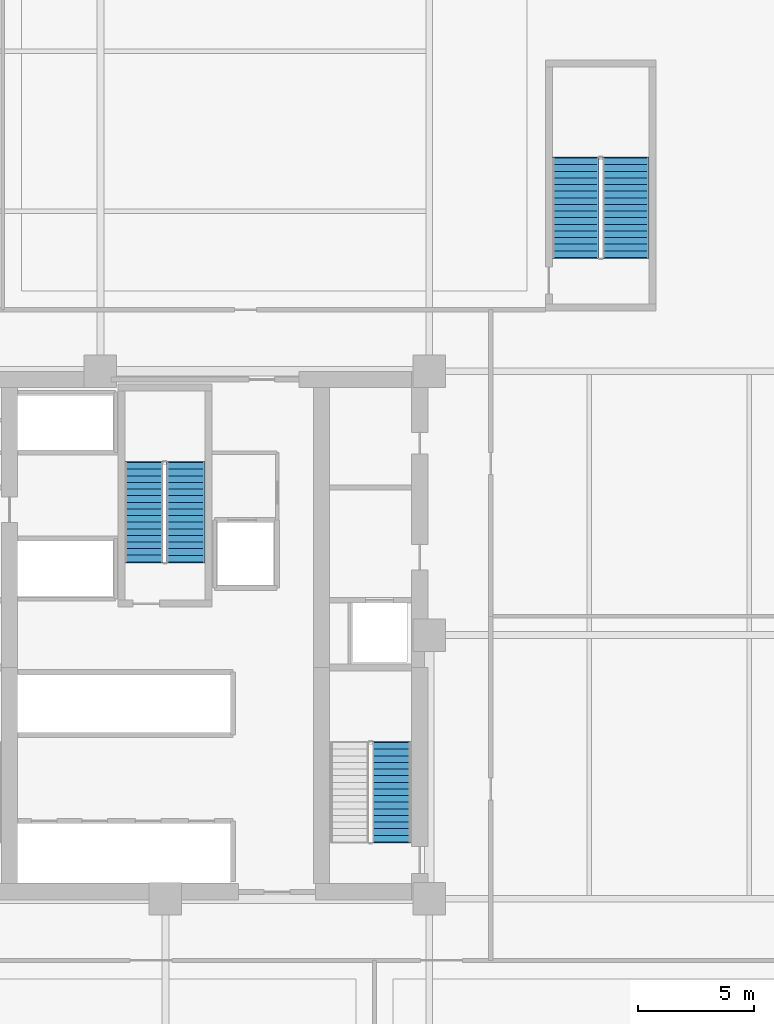
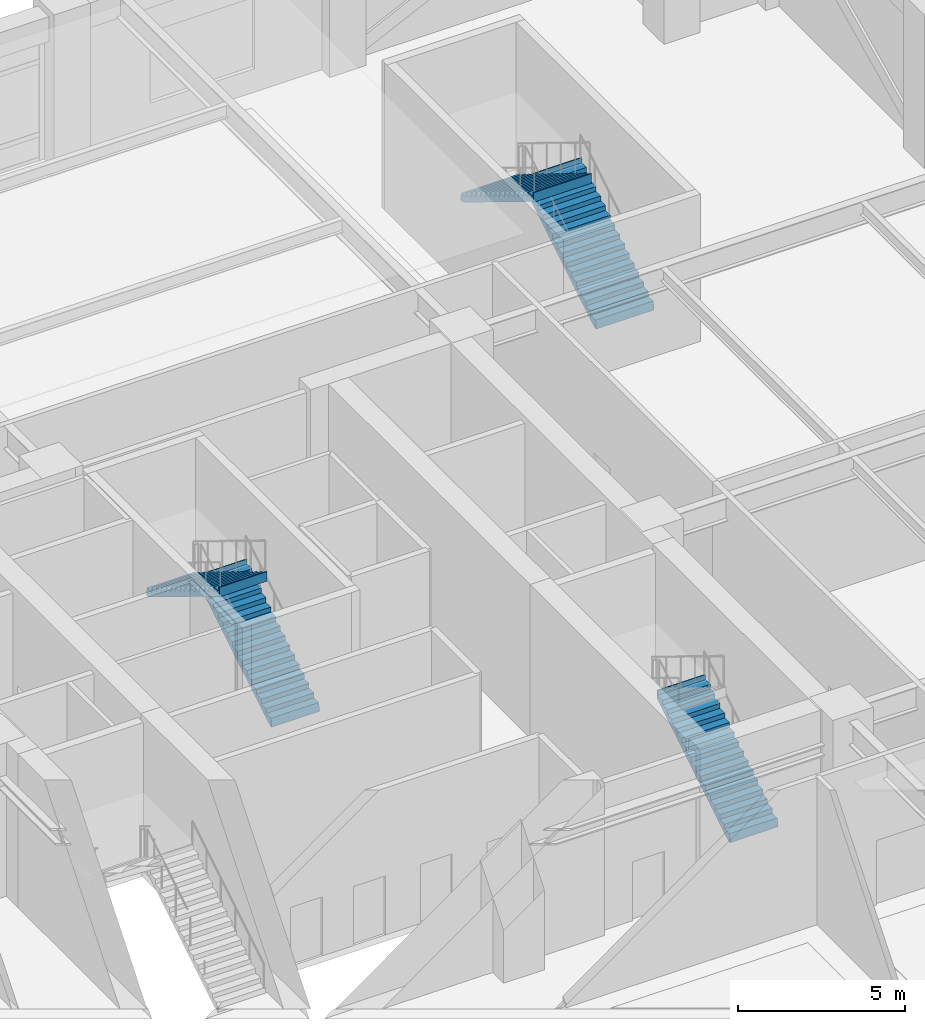
# One storey, part 15 of 21: 5 stair flights, 3 elements without a shape of their own.
"""IFC4 building model written with IfcOpenShell, lengths in metres."""

from ifc_helpers import new_model, si_unit, direction, frame, origin, place, context, subcontext, project, spatial, polyline, outline, extrude, material, type_object, element, aggregate, save


model = new_model("IFC4")

# Units and contexts
model_context = context("Model", 3, precision=1e-05, world=origin(), true_north=direction((0.0, 1.0)))
body_context = subcontext(model_context, "Body", "Model", "MODEL_VIEW")
ifc_project = project(units=[si_unit("LENGTHUNIT", "METRE"), si_unit("AREAUNIT", "SQUARE_METRE"), si_unit("VOLUMEUNIT", "CUBIC_METRE"), si_unit("PLANEANGLEUNIT", "RADIAN"), si_unit("MASSUNIT", "GRAM", prefix="KILO")], contexts=[model_context])

# Site, building, storey
site_placement = place(None, origin())
site = spatial("IfcSite", under=ifc_project, at=site_placement, CompositionType="ELEMENT")
building_placement = place(site_placement, origin())
building = spatial("IfcBuilding", under=site, at=building_placement, Name="Nhamokura Convention Tower", CompositionType="ELEMENT")
storey_placement = place(building_placement, frame((0.0, 0.0, 12.25)))
storey = spatial("IfcBuildingStorey", under=building, at=storey_placement, Name="L02", CompositionType="ELEMENT", Elevation=12.25)

# Stair, stair flights
ifc_material_1 = material(Name="Concrete C40/50", Category="concrete")
stair_type_1 = type_object("IfcStairType", Name="PodiumExitStair_2000", PredefinedType="HALF_TURN_STAIR", material=ifc_material_1)
stair_1_placement = place(storey_placement, origin())
stair_1 = element("IfcStair", 1, at=stair_1_placement, inside=storey, type_object=stair_type_1, Name="L02 North-East Podium Smokeproof Stair ST-05", PredefinedType="HALF_TURN_STAIR")
ifc_material_2 = material(Name="Concrete C40/50", Category="concrete")
stair_flight_type_1 = type_object("IfcStairFlightType", Name="PodiumExitStair_2000_Flight", PredefinedType="STRAIGHT", material=ifc_material_2)
stair_flight_1_placement = place(storey_placement, frame((51.800048828125, 48.25, 0.0), z_axis=(0.0, 0.0, 1.0), x_axis=(0.0, 1.0, 0.0)))
stair_flight_1 = element("IfcStairFlight", 2, at=stair_flight_1_placement, type_object=stair_flight_type_1, Name="ST-05 flight 1", NumberOfRisers=16, NumberOfTreads=15, PredefinedType="STRAIGHT", RiserHeight=0.175, TreadLength=0.285, context=body_context, shape_type="SweptSolid", body=[
    extrude(outline(polyline([(-0.0419921875, 0.0), (0.0, 0.175048828125), (0.284912109375, 0.175048828125), (0.284912109375, 0.35009765625), (0.570068359375, 0.35009765625), (0.570068359375, 0.52490234375), (0.85498046875, 0.52490234375), (0.85498046875, 0.699951171875), (1.139892578125, 0.699951171875), (1.139892578125, 0.875), (1.425048828125, 0.875), (1.425048828125, 1.050048828125), (1.7099609375, 1.050048828125), (1.7099609375, 1.22509765625), (1.9951171875, 1.22509765625), (1.9951171875, 1.39990234375), (2.280029296875, 1.39990234375), (2.280029296875, 1.574951171875), (2.56494140625, 1.574951171875), (2.56494140625, 1.75), (2.85009765625, 1.75), (2.85009765625, 1.925048828125), (3.135009765625, 1.925048828125), (3.135009765625, 2.10009765625), (3.419921875, 2.10009765625), (3.419921875, 2.27490234375), (3.705078125, 2.27490234375), (3.705078125, 2.449951171875), (3.989990234375, 2.449951171875), (3.989990234375, 2.625), (4.27490234375, 2.625), (4.27490234375, 2.800048828125), (4.31689453125, 2.800048828125), (4.31689453125, 2.448974609375), (4.27490234375, 2.448974609375), (0.286376953125, 0.0), (0.02001953125, -0.1298828125), (-0.0419921875, -0.1298828125), (-0.0419921875, 0.0)])), frame((0.0, 1.0, 0.0), z_axis=(0.0, -1.0, 0.0), x_axis=(1.0, 0.0, 0.0)), (0.0, 0.0, 1.0), 2.0),
])
stair_flight_2_placement = place(storey_placement, frame((49.64990234375, 52.52490234375, 2.800048828125), z_axis=(0.0, 0.0, 1.0), x_axis=(0.0, -1.0, 0.0)))
stair_flight_2 = element("IfcStairFlight", 3, at=stair_flight_2_placement, type_object=stair_flight_type_1, Name="ST-05 flight 2", NumberOfRisers=16, NumberOfTreads=15, PredefinedType="STRAIGHT", RiserHeight=0.175, TreadLength=0.285, context=body_context, shape_type="SweptSolid", body=[
    extrude(outline(polyline([(-0.0419921875, 0.0), (0.0, 0.175048828125), (0.284912109375, 0.175048828125), (0.284912109375, 0.35009765625), (0.570068359375, 0.35009765625), (0.570068359375, 0.52490234375), (0.85498046875, 0.52490234375), (0.85498046875, 0.699951171875), (1.139892578125, 0.699951171875), (1.139892578125, 0.875), (1.425048828125, 0.875), (1.425048828125, 1.050048828125), (1.7099609375, 1.050048828125), (1.7099609375, 1.22509765625), (1.9951171875, 1.22509765625), (1.9951171875, 1.39990234375), (2.280029296875, 1.39990234375), (2.280029296875, 1.574951171875), (2.56494140625, 1.574951171875), (2.56494140625, 1.75), (2.85009765625, 1.75), (2.85009765625, 1.925048828125), (3.135009765625, 1.925048828125), (3.135009765625, 2.10009765625), (3.419921875, 2.10009765625), (3.419921875, 2.27490234375), (3.705078125, 2.27490234375), (3.705078125, 2.449951171875), (3.989990234375, 2.449951171875), (3.989990234375, 2.625), (4.27490234375, 2.625), (4.27490234375, 2.800048828125), (4.31689453125, 2.800048828125), (4.31689453125, 2.448974609375), (4.27490234375, 2.448974609375), (0.286376953125, 0.0), (0.02001953125, -0.1298828125), (-0.0419921875, -0.1298828125), (-0.0419921875, 0.0)])), frame((0.0, 1.0, 0.0), z_axis=(0.0, -1.0, 0.0), x_axis=(1.0, 0.0, 0.0)), (0.0, 0.0, 1.0), 2.0),
])
aggregate(stair_1, [stair_flight_1, stair_flight_2])

# Stair, stair flight
ifc_material_3 = material(Name="Concrete C40/50", Category="concrete")
stair_type_2 = type_object("IfcStairType", Name="TowerCoreStair_1650", PredefinedType="HALF_TURN_STAIR", material=ifc_material_3)
stair_2_placement = place(storey_placement, origin())
stair_2 = element("IfcStair", 4, at=stair_2_placement, inside=storey, type_object=stair_type_2, Name="L02 East Core Smokeproof Stair ST-02", PredefinedType="HALF_TURN_STAIR")
ifc_material_4 = material(Name="Concrete C40/50", Category="concrete")
stair_flight_type_2 = type_object("IfcStairFlightType", Name="TowerCoreStair_1650_Flight", PredefinedType="STRAIGHT", material=ifc_material_4)
stair_flight_3_placement = place(storey_placement, frame((41.72509765625, 23.10009765625, 0.0), z_axis=(0.0, 0.0, 1.0), x_axis=(0.0, 1.0, 0.0)))
stair_flight_3 = element("IfcStairFlight", 5, at=stair_flight_3_placement, type_object=stair_flight_type_2, Name="ST-02 flight 1", NumberOfRisers=16, NumberOfTreads=15, PredefinedType="STRAIGHT", RiserHeight=0.175, TreadLength=0.285, context=body_context, shape_type="SweptSolid", body=[
    extrude(outline(polyline([(-0.0419921875, 0.0), (0.0, 0.175048828125), (0.284912109375, 0.175048828125), (0.284912109375, 0.35009765625), (0.570068359375, 0.35009765625), (0.570068359375, 0.52490234375), (0.85498046875, 0.52490234375), (0.85498046875, 0.699951171875), (1.139892578125, 0.699951171875), (1.139892578125, 0.875), (1.425048828125, 0.875), (1.425048828125, 1.050048828125), (1.7099609375, 1.050048828125), (1.7099609375, 1.22509765625), (1.9951171875, 1.22509765625), (1.9951171875, 1.39990234375), (2.280029296875, 1.39990234375), (2.280029296875, 1.574951171875), (2.56494140625, 1.574951171875), (2.56494140625, 1.75), (2.85009765625, 1.75), (2.85009765625, 1.925048828125), (3.135009765625, 1.925048828125), (3.135009765625, 2.10009765625), (3.419921875, 2.10009765625), (3.419921875, 2.27490234375), (3.705078125, 2.27490234375), (3.705078125, 2.449951171875), (3.989990234375, 2.449951171875), (3.989990234375, 2.625), (4.27490234375, 2.625), (4.27490234375, 2.800048828125), (4.31689453125, 2.800048828125), (4.31689453125, 2.448974609375), (4.27490234375, 2.448974609375), (0.286376953125, 0.0), (0.02001953125, -0.1298828125), (-0.0419921875, -0.1298828125), (-0.0419921875, 0.0)])), frame((0.0, 0.824951171875, 0.0), z_axis=(0.0, -1.0, 0.0), x_axis=(1.0, 0.0, 0.0)), (0.0, 0.0, 1.0), 1.64990234375),
])
aggregate(stair_2, [stair_flight_3])

# Stair, stair flights
stair_3_placement = place(storey_placement, origin())
stair_3 = element("IfcStair", 6, at=stair_3_placement, inside=storey, type_object=stair_type_2, Name="L02 North Core Smokeproof Stair ST-03", PredefinedType="HALF_TURN_STAIR")
stair_flight_4_placement = place(storey_placement, frame((32.875, 35.14990234375, 0.0), z_axis=(0.0, 0.0, 1.0), x_axis=(0.0, 1.0, 0.0)))
stair_flight_4 = element("IfcStairFlight", 7, at=stair_flight_4_placement, type_object=stair_flight_type_2, Name="ST-03 flight 1", NumberOfRisers=16, NumberOfTreads=15, PredefinedType="STRAIGHT", RiserHeight=0.175, TreadLength=0.285, context=body_context, shape_type="SweptSolid", body=[
    extrude(outline(polyline([(-0.0419921875, 0.0), (0.0, 0.175048828125), (0.284912109375, 0.175048828125), (0.284912109375, 0.35009765625), (0.570068359375, 0.35009765625), (0.570068359375, 0.52490234375), (0.85498046875, 0.52490234375), (0.85498046875, 0.699951171875), (1.139892578125, 0.699951171875), (1.139892578125, 0.875), (1.425048828125, 0.875), (1.425048828125, 1.050048828125), (1.7099609375, 1.050048828125), (1.7099609375, 1.22509765625), (1.9951171875, 1.22509765625), (1.9951171875, 1.39990234375), (2.280029296875, 1.39990234375), (2.280029296875, 1.574951171875), (2.56494140625, 1.574951171875), (2.56494140625, 1.75), (2.85009765625, 1.75), (2.85009765625, 1.925048828125), (3.135009765625, 1.925048828125), (3.135009765625, 2.10009765625), (3.419921875, 2.10009765625), (3.419921875, 2.27490234375), (3.705078125, 2.27490234375), (3.705078125, 2.449951171875), (3.989990234375, 2.449951171875), (3.989990234375, 2.625), (4.27490234375, 2.625), (4.27490234375, 2.800048828125), (4.31689453125, 2.800048828125), (4.31689453125, 2.448974609375), (4.27490234375, 2.448974609375), (0.286376953125, 0.0), (0.02001953125, -0.1298828125), (-0.0419921875, -0.1298828125), (-0.0419921875, 0.0)])), frame((0.0, 0.824951171875, 0.0), z_axis=(0.0, -1.0, 0.0), x_axis=(1.0, 0.0, 0.0)), (0.0, 0.0, 1.0), 1.64990234375),
])
stair_flight_5_placement = place(storey_placement, frame((31.074951171875, 39.425048828125, 2.800048828125), z_axis=(0.0, 0.0, 1.0), x_axis=(0.0, -1.0, 0.0)))
stair_flight_5 = element("IfcStairFlight", 8, at=stair_flight_5_placement, type_object=stair_flight_type_2, Name="ST-03 flight 2", NumberOfRisers=16, NumberOfTreads=15, PredefinedType="STRAIGHT", RiserHeight=0.175, TreadLength=0.285, context=body_context, shape_type="SweptSolid", body=[
    extrude(outline(polyline([(-0.0419921875, 0.0), (0.0, 0.175048828125), (0.284912109375, 0.175048828125), (0.284912109375, 0.35009765625), (0.570068359375, 0.35009765625), (0.570068359375, 0.52490234375), (0.85498046875, 0.52490234375), (0.85498046875, 0.699951171875), (1.139892578125, 0.699951171875), (1.139892578125, 0.875), (1.425048828125, 0.875), (1.425048828125, 1.050048828125), (1.7099609375, 1.050048828125), (1.7099609375, 1.22509765625), (1.9951171875, 1.22509765625), (1.9951171875, 1.39990234375), (2.280029296875, 1.39990234375), (2.280029296875, 1.574951171875), (2.56494140625, 1.574951171875), (2.56494140625, 1.75), (2.85009765625, 1.75), (2.85009765625, 1.925048828125), (3.135009765625, 1.925048828125), (3.135009765625, 2.10009765625), (3.419921875, 2.10009765625), (3.419921875, 2.27490234375), (3.705078125, 2.27490234375), (3.705078125, 2.449951171875), (3.989990234375, 2.449951171875), (3.989990234375, 2.625), (4.27490234375, 2.625), (4.27490234375, 2.800048828125), (4.31689453125, 2.800048828125), (4.31689453125, 2.448974609375), (4.27490234375, 2.448974609375), (0.286376953125, 0.0), (0.02001953125, -0.1298828125), (-0.0419921875, -0.1298828125), (-0.0419921875, 0.0)])), frame((0.0, 0.824951171875, 0.0), z_axis=(0.0, -1.0, 0.0), x_axis=(1.0, 0.0, 0.0)), (0.0, 0.0, 1.0), 1.64990234375),
])
aggregate(stair_3, [stair_flight_4, stair_flight_5])

save(model, "model.ifc")
